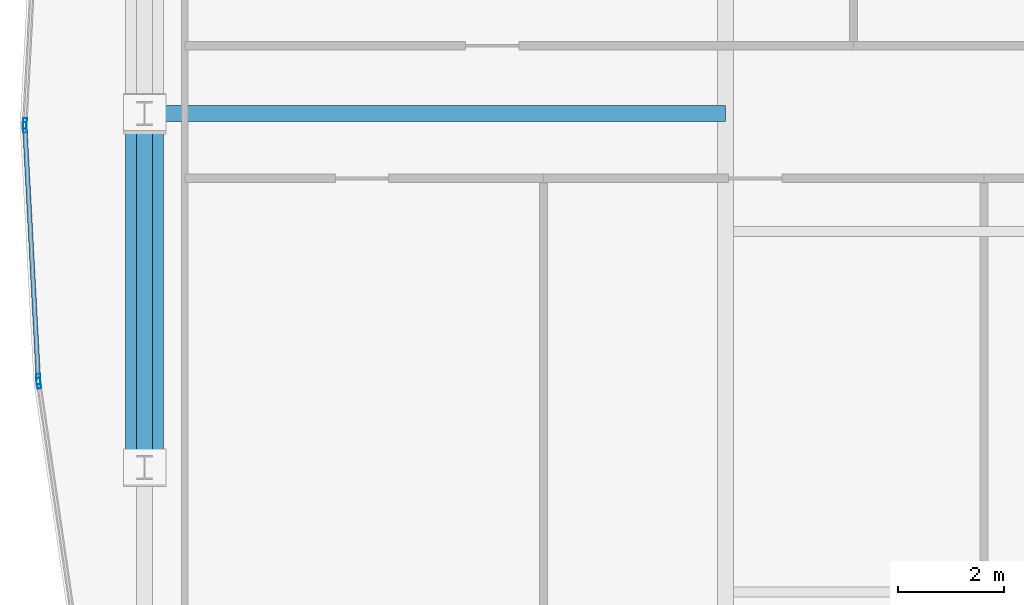
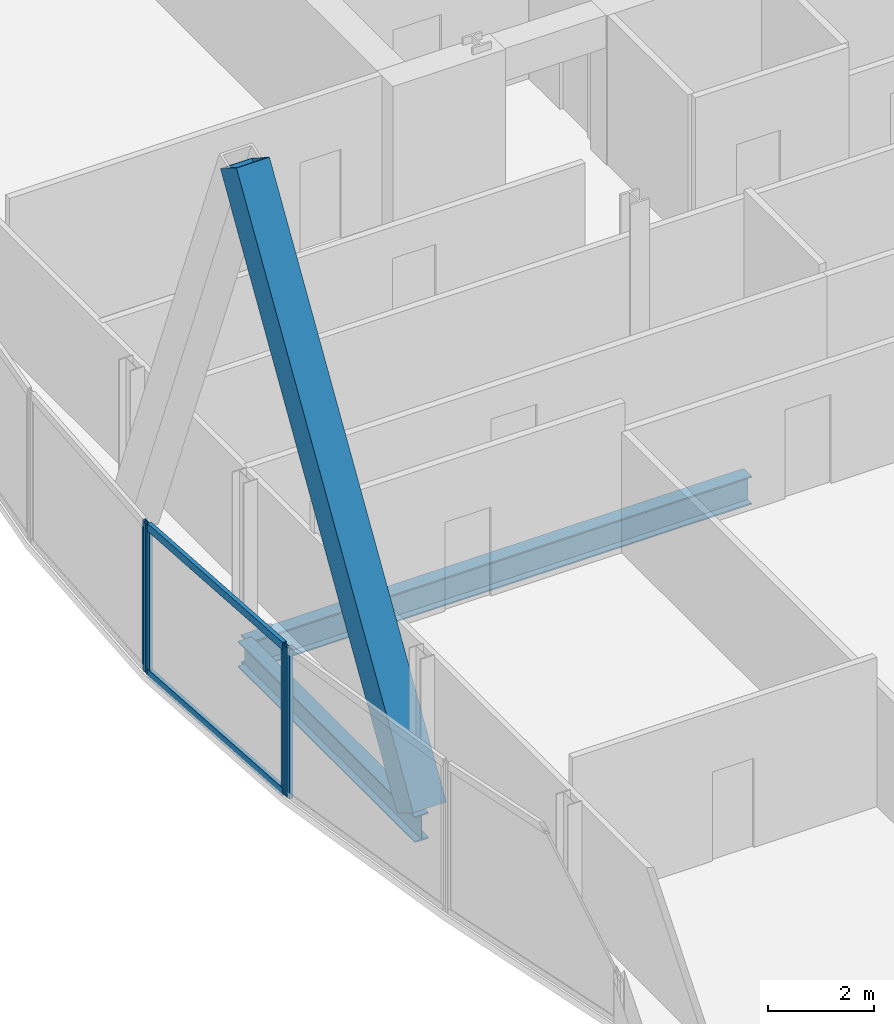
# One storey, part 10 of 32: 7 members, 2 beams, 3 elements without a shape of their own.
"""IFC4 building model written with IfcOpenShell, lengths in metres."""

from ifc_helpers import new_model, si_unit, direction, frame, origin, origin_2d, place, context, subcontext, project, spatial, hollow_rectangle, i_section, extrude, material, material_profile, profile_set, type_object, element, aggregate, save


model = new_model("IFC4")

# Units and contexts
model_context = context("Model", 3, precision=1e-05, world=origin(), true_north=direction((0.0, 1.0)))
body_context = subcontext(model_context, "Body", "Model", "MODEL_VIEW")
ifc_project = project(units=[si_unit("LENGTHUNIT", "METRE"), si_unit("AREAUNIT", "SQUARE_METRE"), si_unit("VOLUMEUNIT", "CUBIC_METRE"), si_unit("PLANEANGLEUNIT", "RADIAN"), si_unit("MASSUNIT", "GRAM", prefix="KILO")], contexts=[model_context])

# Site, building, storey
site_placement = place(None, origin())
site = spatial("IfcSite", under=ifc_project, at=site_placement, CompositionType="ELEMENT")
building_placement = place(site_placement, origin())
building = spatial("IfcBuilding", under=site, at=building_placement, Name="Khoronbel Lancet Exchange", CompositionType="ELEMENT")
storey_placement = place(building_placement, frame((0.0, 0.0, 221.0)))
storey = spatial("IfcBuildingStorey", under=building, at=storey_placement, Name="L56", CompositionType="ELEMENT", Elevation=221.0)

# Beams
ifc_material_1 = material(Name="Steel S355", Category="steel")
ifc_material_profile_1 = material_profile(ifc_material_1, i_section(OverallWidth=0.300048828125, OverallDepth=0.64990234375, WebThickness=0.01611328125, FlangeThickness=0.031005859375, at=origin_2d()), Name="HEB 650")
ifc_profile_set_1 = profile_set([ifc_material_profile_1], Name="Steel S355")
beam_type_1 = type_object("IfcBeamType", Name="BM-BG4", PredefinedType="BEAM", material=ifc_profile_set_1)
beam_1_placement = place(storey_placement, frame((7.27001953125, 31.425048828125, -0.485107421875), z_axis=(1.0, 0.0, 0.0), x_axis=(0.0, 1.0, 0.0)))
element("IfcBeam", 1, at=beam_1_placement, inside=storey, type_object=beam_type_1, Name="Level L56 west lens tie girder LG2W", PredefinedType="BEAM", context=body_context, shape_type="SweptSolid", body=[
    extrude(i_section(OverallWidth=0.300048828125, OverallDepth=0.64990234375, WebThickness=0.01611328125, FlangeThickness=0.031005859375, at=origin_2d()), origin(), (0.0, 0.0, 1.0), 10.955078125),
])
ifc_material_profile_2 = material_profile(ifc_material_1, i_section(OverallWidth=0.300048828125, OverallDepth=0.60009765625, WebThickness=0.015380859375, FlangeThickness=0.030029296875, at=origin_2d()), Name="HEB 600")
ifc_profile_set_2 = profile_set([ifc_material_profile_2], Name="Steel S355")
beam_type_2 = type_object("IfcBeamType", Name="BM-BSP2", PredefinedType="SPANDREL", material=ifc_profile_set_2)
beam_2_placement = place(storey_placement, frame((7.27001953125, 31.425048828125, -0.4599609375), z_axis=(0.0, -1.0, 0.0), x_axis=(1.0, 0.0, 0.0)))
element("IfcBeam", 2, at=beam_2_placement, inside=storey, type_object=beam_type_2, Name="Level L56 perimeter spandrel beam SP19", PredefinedType="SPANDREL", context=body_context, shape_type="SweptSolid", body=[
    extrude(i_section(OverallWidth=0.300048828125, OverallDepth=0.60009765625, WebThickness=0.015380859375, FlangeThickness=0.030029296875, at=origin_2d()), origin(), (0.0, 0.0, 1.0), 6.675048828125),
])

# Curtain wall, member
ifc_material_2 = material(Name="Low-E Solar Control Insulating Glass", Category="glass")
curtain_wall_type = type_object("IfcCurtainWallType", Name="CW-4", PredefinedType="NOTDEFINED", material=ifc_material_2)
curtain_wall_1_placement = place(storey_placement, origin())
curtain_wall_1 = element("IfcCurtainWall", 3, at=curtain_wall_1_placement, inside=storey, type_object=curtain_wall_type, Name="Unitised curtain wall CW-L56-E05", PredefinedType="NOTDEFINED")
ifc_material_3 = material(Name="Bronze-Anodised Aluminium 6063-T6", Category="aluminium")
ifc_material_profile_3 = material_profile(ifc_material_3, hollow_rectangle(XDim=0.074951171875, YDim=0.199951171875, WallThickness=0.0048828125, at=origin_2d()), Name="ALU MULLION 75x200")
ifc_profile_set_3 = profile_set([ifc_material_profile_3], Name="Bronze-Anodised Aluminium 6063-T6")
member_type_1 = type_object("IfcMemberType", Name="MEM-CWM2", PredefinedType="MULLION", material=ifc_profile_set_3)
member_1_placement = place(storey_placement, frame((5.2734375, 26.33837890625, 0.0), z_axis=(0.0, 0.0, 1.0), x_axis=(-0.989484260483, -0.144640583019, 0.0)))
member_1 = element("IfcMember", 4, at=member_1_placement, type_object=member_type_1, Name="CW4 mullion 2", PredefinedType="MULLION", context=body_context, shape_type="SweptSolid", body=[
    extrude(hollow_rectangle(XDim=0.074951171875, YDim=0.199951171875, WallThickness=0.0048828125, at=origin_2d()), origin(), (0.0, 0.0, 1.0), 3.43994140625),
])
aggregate(curtain_wall_1, [member_1])

# Curtain wall, members
curtain_wall_2_placement = place(storey_placement, origin())
curtain_wall_2 = element("IfcCurtainWall", 5, at=curtain_wall_2_placement, inside=storey, type_object=curtain_wall_type, Name="Unitised curtain wall CW-L56-E06", PredefinedType="NOTDEFINED")
member_2_placement = place(storey_placement, frame((5.265869140625, 26.4130859375, 0.0), z_axis=(0.0, 0.0, 1.0), x_axis=(-0.998570895104, -0.053443123521, 0.0)))
member_2 = element("IfcMember", 6, at=member_2_placement, type_object=member_type_1, Name="CW4 mullion 1", PredefinedType="MULLION", context=body_context, shape_type="SweptSolid", body=[
    extrude(hollow_rectangle(XDim=0.074951171875, YDim=0.199951171875, WallThickness=0.0048828125, at=origin_2d()), origin(), (0.0, 0.0, 1.0), 3.43994140625),
])
member_3_placement = place(storey_placement, frame((5.01171875, 31.16259765625, 0.0), z_axis=(0.0, 0.0, 1.0), x_axis=(-0.998570895104, -0.053443123521, 0.0)))
member_3 = element("IfcMember", 7, at=member_3_placement, type_object=member_type_1, Name="CW4 mullion 2", PredefinedType="MULLION", context=body_context, shape_type="SweptSolid", body=[
    extrude(hollow_rectangle(XDim=0.074951171875, YDim=0.199951171875, WallThickness=0.0048828125, at=origin_2d()), origin(), (0.0, 0.0, 1.0), 3.43994140625),
])

# Curtain wall, member
curtain_wall_3_placement = place(storey_placement, origin())
curtain_wall_3 = element("IfcCurtainWall", 8, at=curtain_wall_3_placement, inside=storey, type_object=curtain_wall_type, Name="Unitised curtain wall CW-L56-E07", PredefinedType="NOTDEFINED")
member_4_placement = place(storey_placement, frame((5.01171875, 31.237548828125, 0.0), z_axis=(0.0, 0.0, 1.0), x_axis=(-0.998570895104, 0.053443123521, 0.0)))
member_4 = element("IfcMember", 9, at=member_4_placement, type_object=member_type_1, Name="CW4 mullion 1", PredefinedType="MULLION", context=body_context, shape_type="SweptSolid", body=[
    extrude(hollow_rectangle(XDim=0.074951171875, YDim=0.199951171875, WallThickness=0.0048828125, at=origin_2d()), origin(), (0.0, 0.0, 1.0), 3.43994140625),
])
aggregate(curtain_wall_3, [member_4])

# Member
ifc_material_profile_4 = material_profile(ifc_material_3, hollow_rectangle(XDim=0.0849609375, YDim=0.179931640625, WallThickness=0.0048828125, at=origin_2d()), Name="ALU TRANSOM 85x180")
ifc_profile_set_4 = profile_set([ifc_material_profile_4], Name="Bronze-Anodised Aluminium 6063-T6")
member_type_2 = type_object("IfcMemberType", Name="MEM-CWT1", PredefinedType="USERDEFINED", material=ifc_profile_set_4)
member_5_placement = place(storey_placement, frame((5.263916015625, 26.450439453125, 0.04248046875), z_axis=(-0.053456647282, 0.998570171226, 0.0), x_axis=(-0.998570171226, -0.053456647282, 0.0)))
member_5 = element("IfcMember", 10, at=member_5_placement, type_object=member_type_2, Name="CW4 transom 1.1", ObjectType="TRANSOM", PredefinedType="USERDEFINED", context=body_context, shape_type="SweptSolid", body=[
    extrude(hollow_rectangle(XDim=0.0849609375, YDim=0.179931640625, WallThickness=0.0048828125, at=origin_2d()), origin(), (0.0, 0.0, 1.0), 4.68115234375),
])

member_6_placement = place(storey_placement, frame((5.263916015625, 26.450439453125, 3.3974609375), z_axis=(-0.053456647282, 0.998570171226, 0.0), x_axis=(-0.998570171226, -0.053456647282, 0.0)))
member_6 = element("IfcMember", 11, at=member_6_placement, type_object=member_type_2, Name="CW4 transom 1.2", ObjectType="TRANSOM", PredefinedType="USERDEFINED", context=body_context, shape_type="SweptSolid", body=[
    extrude(hollow_rectangle(XDim=0.0849609375, YDim=0.179931640625, WallThickness=0.0048828125, at=origin_2d()), origin(), (0.0, 0.0, 1.0), 4.68115234375),
])

aggregate(curtain_wall_2, [member_2, member_3, member_5, member_6])

ifc_material_4 = material(Name="Steel S460", Category="steel")
ifc_material_profile_5 = material_profile(ifc_material_4, hollow_rectangle(XDim=0.719970703125, YDim=0.719970703125, WallThickness=0.050048828125, at=origin_2d()), Name="BOX 720x720x50")
ifc_profile_set_5 = profile_set([ifc_material_profile_5], Name="Steel S460")
member_type_3 = type_object("IfcMemberType", Name="MEM-MB2", PredefinedType="BRACE", material=ifc_profile_set_5)
member_7_placement = place(storey_placement, frame((7.27001953125, 24.75, 0.0), z_axis=(0.0, 0.525745449971, 0.850641946906), x_axis=(-1.0, 0.0, 0.0)))
element("IfcMember", 12, at=member_7_placement, inside=storey, type_object=member_type_3, Name="Perimeter lancet brace tier 19 W-P-L", PredefinedType="BRACE", context=body_context, shape_type="SweptSolid", body=[
    extrude(hollow_rectangle(XDim=0.719970703125, YDim=0.719970703125, WallThickness=0.050048828125, at=origin_2d()), origin(), (0.0, 0.0, 1.0), 12.6962890625),
])

save(model, "model.ifc")
